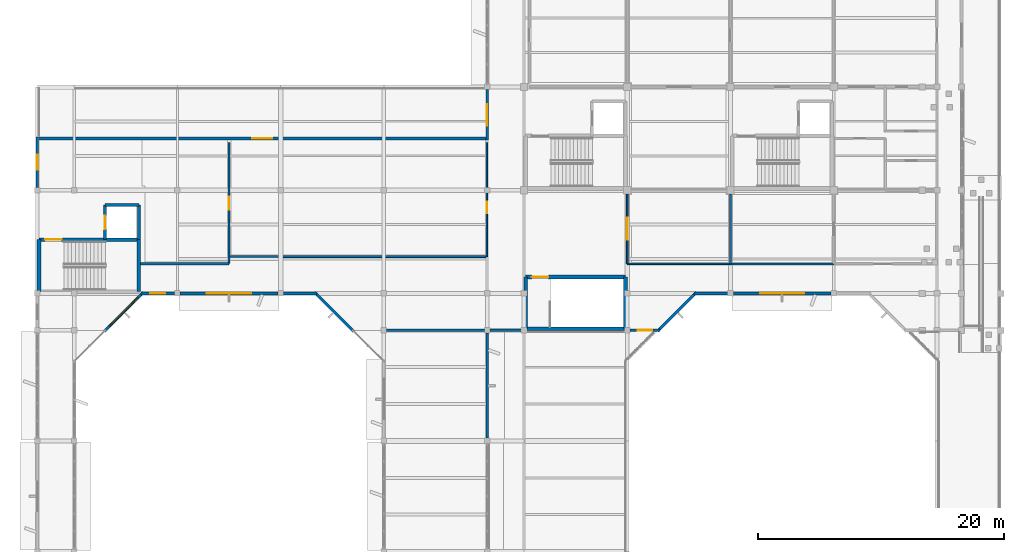
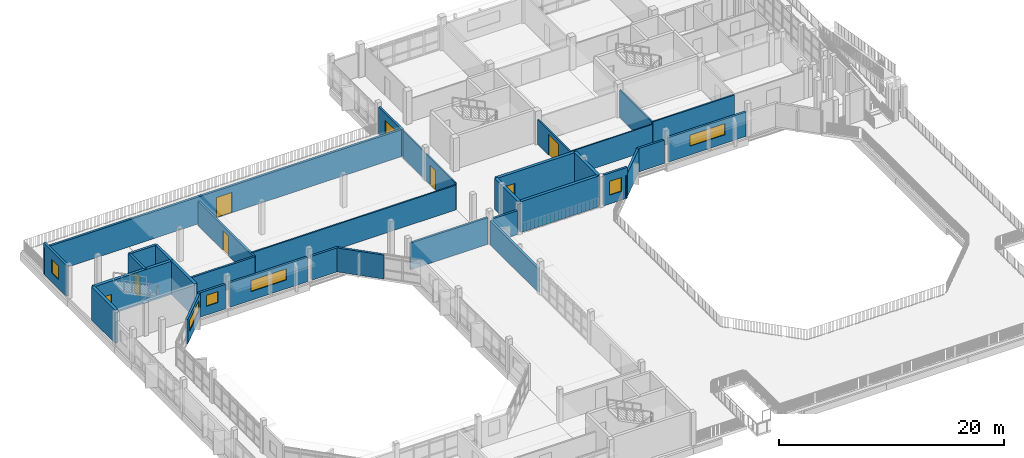
# One storey, part 22 of 42: 33 walls, 8 doors, 6 windows, 14 openings.
"""IFC4 building model written with IfcOpenShell, lengths in metres."""

from ifc_helpers import new_model, si_unit, direction, frame, frame_2d, origin, place, context, subcontext, project, spatial, rectangle, extrude, material, layer, layer_set, type_object, element, fill, save


model = new_model("IFC4")

# Units and contexts
model_context = context("Model", 3, precision=1e-05, world=origin(), true_north=direction((0.0, 1.0)))
body_context = subcontext(model_context, "Body", "Model", "MODEL_VIEW")
ifc_project = project(units=[si_unit("LENGTHUNIT", "METRE"), si_unit("AREAUNIT", "SQUARE_METRE"), si_unit("VOLUMEUNIT", "CUBIC_METRE"), si_unit("PLANEANGLEUNIT", "RADIAN"), si_unit("MASSUNIT", "GRAM", prefix="KILO")], contexts=[model_context])

# Site, building, storey
site_placement = place(None, origin())
site = spatial("IfcSite", under=ifc_project, at=site_placement, CompositionType="ELEMENT")
building_placement = place(site_placement, origin())
building = spatial("IfcBuilding", under=site, at=building_placement, Name="Vanh Quang Courtyard School", CompositionType="ELEMENT")
storey_placement = place(building_placement, frame((0.0, 0.0, 15.0)))
storey = spatial("IfcBuildingStorey", under=building, at=storey_placement, Name="L04", CompositionType="ELEMENT", Elevation=15.0)

# Wall, opening, door
ifc_material_1 = material(Name="Concrete C30/37", Category="concrete")
ifc_layer_1 = layer(ifc_material_1, 0.199951171875)
ifc_layer_set_1 = layer_set([ifc_layer_1], Name="Concrete C30/37")
wall_type_1 = type_object("IfcWallType", Name="W-COMP-200", PredefinedType="PARTITIONING", material=ifc_layer_set_1)
wall_1_placement = place(storey_placement, frame((53.39990234375, 83.679931640625, 0.0), z_axis=(0.0, 0.0, 1.0), x_axis=(0.0, -1.0, 0.0)))
wall_1 = element("IfcWall", 1, at=wall_1_placement, inside=storey, type_object=wall_type_1, Name="Wall W-COMP1 (L04)", PredefinedType="PARTITIONING", context=body_context, shape_type="SweptSolid", body=[
    extrude(rectangle(XDim=9.85986328125, YDim=0.199951171875, at=frame_2d((4.929931640625, 0.0))), origin(), (0.0, 0.0, 1.0), 2.6298828125),
])
opening_1_placement = place(wall_1_placement, frame((4.405029296875, 0.0, 0.0)))
opening_1 = element("IfcOpeningElement", 2, at=opening_1_placement, cuts=wall_1, Name="Opening L04-D163", PredefinedType="OPENING", context=body_context, shape_type="SweptSolid", body=[
    extrude(rectangle(XDim=1.050048828125, YDim=2.14990234375, at=frame_2d((0.52490234375, 1.074951171875))), frame((0.0, 0.10986328125, 0.0), z_axis=(0.0, -1.0, 0.0), x_axis=(1.0, 0.0, 0.0)), (0.0, 0.0, 1.0), 0.219970703125),
])
ifc_material_2 = material(Name="Painted galvanised steel fire door", Category="steel")
door_type_1 = type_object("IfcDoorType", Name="IDR-FD-1050x2150", OperationType="NOTDEFINED", PredefinedType="DOOR", material=ifc_material_2)
door_1_placement = place(opening_1_placement, origin())
door_1 = element("IfcDoor", 3, at=door_1_placement, inside=storey, type_object=door_type_1, Name="Door L04-D163 (L04)", OperationType="SINGLE_SWING_RIGHT", OverallHeight=2.14990234375, OverallWidth=1.050048828125, PredefinedType="DOOR", context=body_context, shape_type="SweptSolid", body=[
    extrude(rectangle(XDim=1.050048828125, YDim=2.14990234375, at=frame_2d((0.52490234375, 1.074951171875))), frame((0.0, 0.02490234375, 0.0), z_axis=(0.0, -1.0, 0.0), x_axis=(1.0, 0.0, 0.0)), (0.0, 0.0, 1.0), 0.050048828125),
])
fill(opening_1, door_1)

# Walls
wall_2_placement = place(storey_placement, frame((53.39990234375, 73.820068359375, 0.0), z_axis=(0.0, 0.0, 1.0), x_axis=(-1.0, 0.0, 0.0)))
element("IfcWall", 4, at=wall_2_placement, inside=storey, type_object=wall_type_1, Name="Wall W-COMP1 (L04)", PredefinedType="PARTITIONING", context=body_context, shape_type="SweptSolid", body=[
    extrude(rectangle(XDim=7.199951171875, YDim=0.199951171875, at=frame_2d((3.60009765625, 0.0))), origin(), (0.0, 0.0, 1.0), 2.6298828125),
])
wall_3_placement = place(storey_placement, frame((66.222900390625, 68.39990234375, 0.0), z_axis=(0.0, 0.0, 1.0), x_axis=(1.0, 0.0, 0.0)))
element("IfcWall", 5, at=wall_3_placement, inside=storey, type_object=wall_type_1, Name="Wall W-COMP1 (L04)", PredefinedType="PARTITIONING", context=body_context, shape_type="SweptSolid", body=[
    extrude(rectangle(XDim=7.947998046875, YDim=0.199951171875, at=frame_2d((3.97412109375, 0.0))), origin(), (0.0, 0.0, 1.0), 2.889892578125),
])
ifc_material_3 = material(Name="Concrete C35/45", Category="concrete")
ifc_layer_2 = layer(ifc_material_3, 0.300048828125)
ifc_layer_set_2 = layer_set([ifc_layer_2], Name="Concrete C35/45")
wall_type_2 = type_object("IfcWallType", Name="W-CORE-300", PredefinedType="SHEAR", material=ifc_layer_set_2)
wall_4_placement = place(storey_placement, frame((46.06005859375, 71.5400390625, 0.0), z_axis=(0.0, 0.0, 1.0), x_axis=(0.0, 1.0, 0.0)))
element("IfcWall", 6, at=wall_4_placement, inside=storey, type_object=wall_type_2, Name="Wall W-CORE1 (L04)", PredefinedType="SHEAR", context=body_context, shape_type="SweptSolid", body=[
    extrude(rectangle(XDim=4.239990234375, YDim=0.300048828125, at=frame_2d((2.1201171875, 0.0))), origin(), (0.0, 0.0, 1.0), 3.60009765625),
])

# Wall, opening, door
wall_5_placement = place(storey_placement, frame((46.06005859375, 75.780029296875, 0.0), z_axis=(0.0, 0.0, 1.0), x_axis=(-1.0, 0.0, 0.0)))
wall_5 = element("IfcWall", 7, at=wall_5_placement, inside=storey, type_object=wall_type_2, Name="Wall W-CORE1 (L04)", PredefinedType="SHEAR", context=body_context, shape_type="SweptSolid", body=[
    extrude(rectangle(XDim=8.1201171875, YDim=0.300048828125, at=frame_2d((4.06005859375, 0.0))), origin(), (0.0, 0.0, 1.0), 3.60009765625),
])
opening_2_placement = place(wall_5_placement, frame((6.27001953125, 0.0, 0.0)))
opening_2 = element("IfcOpeningElement", 8, at=opening_2_placement, cuts=wall_5, Name="Opening L04-DS3", PredefinedType="OPENING", context=body_context, shape_type="SweptSolid", body=[
    extrude(rectangle(XDim=1.35009765625, YDim=2.14990234375, at=frame_2d((0.675048828125, 1.074951171875))), frame((0.0, 0.16015625, 0.0), z_axis=(0.0, -1.0, 0.0), x_axis=(1.0, 0.0, 0.0)), (0.0, 0.0, 1.0), 0.320068359375),
])
door_type_2 = type_object("IfcDoorType", Name="IDR-ST-1350x2150", OperationType="NOTDEFINED", PredefinedType="DOOR", material=ifc_material_2)
door_2_placement = place(opening_2_placement, frame((1.35009765625, 0.0, 0.0), z_axis=(0.0, 0.0, 1.0), x_axis=(-1.0, 0.0, 0.0)))
door_2 = element("IfcDoor", 9, at=door_2_placement, inside=storey, type_object=door_type_2, Name="Door L04-DS3 (L04)", OperationType="SINGLE_SWING_RIGHT", OverallHeight=2.14990234375, OverallWidth=1.35009765625, PredefinedType="DOOR", context=body_context, shape_type="SweptSolid", body=[
    extrude(rectangle(XDim=1.35009765625, YDim=2.14990234375, at=frame_2d((0.675048828125, 1.074951171875))), frame((0.0, 0.02490234375, 0.0), z_axis=(0.0, -1.0, 0.0), x_axis=(1.0, 0.0, 0.0)), (0.0, 0.0, 1.0), 0.050048828125),
])
fill(opening_2, door_2)

# Walls
wall_6_placement = place(storey_placement, frame((37.93994140625, 75.780029296875, 0.0), z_axis=(0.0, 0.0, 1.0), x_axis=(0.0, -1.0, 0.0)))
element("IfcWall", 10, at=wall_6_placement, inside=storey, type_object=wall_type_2, Name="Wall W-CORE1 (L04)", PredefinedType="SHEAR", context=body_context, shape_type="SweptSolid", body=[
    extrude(rectangle(XDim=4.239990234375, YDim=0.300048828125, at=frame_2d((2.1201171875, 0.0))), origin(), (0.0, 0.0, 1.0), 3.60009765625),
])
wall_7_placement = place(storey_placement, frame((77.5400390625, 68.5400390625, 0.0), z_axis=(0.0, 0.0, 1.0), x_axis=(1.0, 0.0, 0.0)))
element("IfcWall", 11, at=wall_7_placement, inside=storey, type_object=wall_type_2, Name="Wall W-CORE1 (L04)", PredefinedType="SHEAR", context=body_context, shape_type="SweptSolid", body=[
    extrude(rectangle(XDim=8.119873046875, YDim=0.300048828125, at=frame_2d((4.06005859375, 0.0))), origin(), (0.0, 0.0, 1.0), 3.35009765625),
])
wall_8_placement = place(storey_placement, frame((85.659912109375, 68.5400390625, 0.0), z_axis=(0.0, 0.0, 1.0), x_axis=(0.0, 1.0, 0.0)))
element("IfcWall", 12, at=wall_8_placement, inside=storey, type_object=wall_type_2, Name="Wall W-CORE1 (L04)", PredefinedType="SHEAR", context=body_context, shape_type="SweptSolid", body=[
    extrude(rectangle(XDim=4.199951171875, YDim=0.300048828125, at=frame_2d((2.10009765625, 0.0))), origin(), (0.0, 0.0, 1.0), 3.35009765625),
])

# Wall, opening, door
wall_9_placement = place(storey_placement, frame((85.659912109375, 72.739990234375, 0.0), z_axis=(0.0, 0.0, 1.0), x_axis=(-1.0, 0.0, 0.0)))
wall_9 = element("IfcWall", 13, at=wall_9_placement, inside=storey, type_object=wall_type_2, Name="Wall W-CORE1 (L04)", PredefinedType="SHEAR", context=body_context, shape_type="SweptSolid", body=[
    extrude(rectangle(XDim=8.119873046875, YDim=0.300048828125, at=frame_2d((4.06005859375, 0.0))), origin(), (0.0, 0.0, 1.0), 3.35009765625),
])
opening_3_placement = place(wall_9_placement, frame((6.27001953125, 0.0, 0.0)))
opening_3 = element("IfcOpeningElement", 14, at=opening_3_placement, cuts=wall_9, Name="Opening L04-DS5", PredefinedType="OPENING", context=body_context, shape_type="SweptSolid", body=[
    extrude(rectangle(XDim=1.35009765625, YDim=2.14990234375, at=frame_2d((0.675048828125, 1.074951171875))), frame((0.0, 0.16015625, 0.0), z_axis=(0.0, -1.0, 0.0), x_axis=(1.0, 0.0, 0.0)), (0.0, 0.0, 1.0), 0.320068359375),
])
door_3_placement = place(opening_3_placement, frame((1.35009765625, 0.0, 0.0), z_axis=(0.0, 0.0, 1.0), x_axis=(-1.0, 0.0, 0.0)))
door_3 = element("IfcDoor", 15, at=door_3_placement, inside=storey, type_object=door_type_2, Name="Door L04-DS5 (L04)", OperationType="SINGLE_SWING_RIGHT", OverallHeight=2.14990234375, OverallWidth=1.35009765625, PredefinedType="DOOR", context=body_context, shape_type="SweptSolid", body=[
    extrude(rectangle(XDim=1.35009765625, YDim=2.14990234375, at=frame_2d((0.675048828125, 1.074951171875))), frame((0.0, 0.02490234375, 0.0), z_axis=(0.0, -1.0, 0.0), x_axis=(1.0, 0.0, 0.0)), (0.0, 0.0, 1.0), 0.050048828125),
])
fill(opening_3, door_3)

# Wall
wall_10_placement = place(storey_placement, frame((77.5400390625, 72.739990234375, 0.0), z_axis=(0.0, 0.0, 1.0), x_axis=(0.0, -1.0, 0.0)))
element("IfcWall", 16, at=wall_10_placement, inside=storey, type_object=wall_type_2, Name="Wall W-CORE1 (L04)", PredefinedType="SHEAR", context=body_context, shape_type="SweptSolid", body=[
    extrude(rectangle(XDim=4.199951171875, YDim=0.300048828125, at=frame_2d((2.10009765625, 0.0))), origin(), (0.0, 0.0, 1.0), 3.35009765625),
])

# Wall, opening, window
ifc_layer_3 = layer(ifc_material_1, 0.219970703125)
ifc_layer_set_3 = layer_set([ifc_layer_3], Name="Concrete C30/37")
wall_type_3 = type_object("IfcWallType", Name="W-EXT-220", PredefinedType="SOLIDWALL", material=ifc_layer_set_3)
wall_11_placement = place(storey_placement, frame((37.800048828125, 80.02294921875, 0.0), z_axis=(0.0, 0.0, 1.0), x_axis=(0.0, 1.0, 0.0)))
wall_11 = element("IfcWall", 17, at=wall_11_placement, inside=storey, type_object=wall_type_3, Name="Wall WE-04 (L04)", PredefinedType="SOLIDWALL", context=body_context, shape_type="SweptSolid", body=[
    extrude(rectangle(XDim=4.09716796875, YDim=0.219970703125, at=frame_2d((2.048583984375, 0.0))), origin(), (0.0, 0.0, 1.0), 3.35009765625),
])
opening_4_placement = place(wall_11_placement, frame((1.448486328125, 0.0, 0.949951171875)))
opening_4 = element("IfcOpeningElement", 18, at=opening_4_placement, cuts=wall_11, Name="Opening WN-10", PredefinedType="OPENING", context=body_context, shape_type="SweptSolid", body=[
    extrude(rectangle(XDim=1.199951171875, YDim=1.5, at=frame_2d((0.60009765625, 0.75))), frame((0.0, 0.1201171875, 0.0), z_axis=(0.0, -1.0, 0.0), x_axis=(1.0, 0.0, 0.0)), (0.0, 0.0, 1.0), 0.239990234375),
])
ifc_material_4 = material(Name="Anodised aluminium and low-E double glazing", Category="aluminium")
window_type_1 = type_object("IfcWindowType", Name="WIN-TYP-10", PartitioningType="SINGLE_PANEL", PredefinedType="WINDOW", material=ifc_material_4)
window_1_placement = place(opening_4_placement, origin())
window_1 = element("IfcWindow", 19, at=window_1_placement, inside=storey, type_object=window_type_1, Name="Window WN-10 (L04)", OverallHeight=1.5, OverallWidth=1.199951171875, PartitioningType="SINGLE_PANEL", PredefinedType="WINDOW", context=body_context, shape_type="SweptSolid", body=[
    extrude(rectangle(XDim=1.199951171875, YDim=1.5, at=frame_2d((0.60009765625, 0.75))), frame((0.0, 0.030029296875, 0.0), z_axis=(0.0, -1.0, 0.0), x_axis=(1.0, 0.0, 0.0)), (0.0, 0.0, 1.0), 0.06005859375),
])
fill(opening_4, window_1)

# Wall, opening, door
wall_12_placement = place(storey_placement, frame((37.679931640625, 84.0, 0.0), z_axis=(0.0, 0.0, 1.0), x_axis=(1.0, 0.0, 0.0)))
wall_12 = element("IfcWall", 20, at=wall_12_placement, inside=storey, type_object=wall_type_3, Name="Wall WE-04 (L04)", PredefinedType="SOLIDWALL", context=body_context, shape_type="SweptSolid", body=[
    extrude(rectangle(XDim=36.840087890625, YDim=0.219970703125, at=frame_2d((18.419921875, 0.0))), origin(), (0.0, 0.0, 1.0), 2.919921875),
])
opening_5_placement = place(wall_12_placement, frame((17.6201171875, 0.0, 0.0)))
opening_5 = element("IfcOpeningElement", 21, at=opening_5_placement, cuts=wall_12, Name="Opening L04-PD055", PredefinedType="OPENING", context=body_context, shape_type="SweptSolid", body=[
    extrude(rectangle(XDim=1.60009765625, YDim=2.199951171875, at=frame_2d((0.800048828125, 1.10009765625))), frame((0.0, 0.1201171875, 0.0), z_axis=(0.0, -1.0, 0.0), x_axis=(1.0, 0.0, 0.0)), (0.0, 0.0, 1.0), 0.239990234375),
])
ifc_material_5 = material(Name="Thermally broken aluminium and laminated safety glass", Category="aluminium")
door_type_3 = type_object("IfcDoorType", Name="EDR-TYP-06", OperationType="NOTDEFINED", PredefinedType="DOOR", material=ifc_material_5)
door_4_placement = place(opening_5_placement, origin())
door_4 = element("IfcDoor", 22, at=door_4_placement, inside=storey, type_object=door_type_3, Name="Door L04-PD055 (L04)", OperationType="SINGLE_SWING_RIGHT", OverallHeight=2.199951171875, OverallWidth=1.60009765625, PredefinedType="DOOR", context=body_context, shape_type="SweptSolid", body=[
    extrude(rectangle(XDim=1.60009765625, YDim=2.199951171875, at=frame_2d((0.800048828125, 1.10009765625))), frame((0.0, 0.02490234375, 0.0), z_axis=(0.0, -1.0, 0.0), x_axis=(1.0, 0.0, 0.0)), (0.0, 0.0, 1.0), 0.050048828125),
])
fill(opening_5, door_4)

wall_13_placement = place(storey_placement, frame((74.39990234375, 83.8798828125, 0.0), z_axis=(0.0, 0.0, 1.0), x_axis=(0.0, 1.0, 0.0)))
wall_13 = element("IfcWall", 23, at=wall_13_placement, inside=storey, type_object=wall_type_3, Name="Wall WE-04 (L04)", PredefinedType="SOLIDWALL", context=body_context, shape_type="SweptSolid", body=[
    extrude(rectangle(XDim=4.09716796875, YDim=0.219970703125, at=frame_2d((2.048583984375, 0.0))), origin(), (0.0, 0.0, 1.0), 2.919921875),
])
opening_6_placement = place(wall_13_placement, frame((1.173583984375, 0.0, 0.0)))
opening_6 = element("IfcOpeningElement", 24, at=opening_6_placement, cuts=wall_13, Name="Opening L04-PD056", PredefinedType="OPENING", context=body_context, shape_type="SweptSolid", body=[
    extrude(rectangle(XDim=1.75, YDim=2.199951171875, at=frame_2d((0.875, 1.10009765625))), frame((0.0, 0.1201171875, 0.0), z_axis=(0.0, -1.0, 0.0), x_axis=(1.0, 0.0, 0.0)), (0.0, 0.0, 1.0), 0.239990234375),
])
door_type_4 = type_object("IfcDoorType", Name="EDR-TYP-07", OperationType="NOTDEFINED", PredefinedType="DOOR", material=ifc_material_5)
door_5_placement = place(opening_6_placement, origin())
door_5 = element("IfcDoor", 25, at=door_5_placement, inside=storey, type_object=door_type_4, Name="Door L04-PD056 (L04)", OperationType="SINGLE_SWING_LEFT", OverallHeight=2.199951171875, OverallWidth=1.75, PredefinedType="DOOR", context=body_context, shape_type="SweptSolid", body=[
    extrude(rectangle(XDim=1.75, YDim=2.199951171875, at=frame_2d((0.875, 1.10009765625))), frame((0.0, 0.02490234375, 0.0), z_axis=(0.0, -1.0, 0.0), x_axis=(1.0, 0.0, 0.0)), (0.0, 0.0, 1.0), 0.050048828125),
])
fill(opening_6, door_5)

# Wall, opening, window
wall_14_placement = place(storey_placement, frame((102.376953125, 71.39990234375, 0.0), z_axis=(0.0, 0.0, 1.0), x_axis=(-1.0, 0.0, 0.0)))
wall_14 = element("IfcWall", 26, at=wall_14_placement, inside=storey, type_object=wall_type_3, Name="Wall WE-04 (L04)", PredefinedType="SOLIDWALL", context=body_context, shape_type="SweptSolid", body=[
    extrude(rectangle(XDim=7.953857421875, YDim=0.219970703125, at=frame_2d((3.97705078125, 0.0))), origin(), (0.0, 0.0, 1.0), 2.64990234375),
])
opening_7_placement = place(wall_14_placement, frame((2.177001953125, 0.0, 0.949951171875)))
opening_7 = element("IfcOpeningElement", 27, at=opening_7_placement, cuts=wall_14, Name="Opening WN-09", PredefinedType="OPENING", context=body_context, shape_type="SweptSolid", body=[
    extrude(rectangle(XDim=3.60009765625, YDim=1.199951171875, at=frame_2d((1.800048828125, 0.60009765625))), frame((0.0, 0.1201171875, 0.0), z_axis=(0.0, -1.0, 0.0), x_axis=(1.0, 0.0, 0.0)), (0.0, 0.0, 1.0), 0.239990234375),
])
window_type_2 = type_object("IfcWindowType", Name="WIN-TYP-09", PartitioningType="SINGLE_PANEL", PredefinedType="WINDOW", material=ifc_material_4)
window_2_placement = place(opening_7_placement, origin())
window_2 = element("IfcWindow", 28, at=window_2_placement, inside=storey, type_object=window_type_2, Name="Window WN-09 (L04)", OverallHeight=1.199951171875, OverallWidth=3.60009765625, PartitioningType="SINGLE_PANEL", PredefinedType="WINDOW", context=body_context, shape_type="SweptSolid", body=[
    extrude(rectangle(XDim=3.60009765625, YDim=1.199951171875, at=frame_2d((1.800048828125, 0.60009765625))), frame((0.0, 0.030029296875, 0.0), z_axis=(0.0, -1.0, 0.0), x_axis=(1.0, 0.0, 0.0)), (0.0, 0.0, 1.0), 0.06005859375),
])
fill(opening_7, window_2)

# Walls
wall_15_placement = place(storey_placement, frame((93.97705078125, 71.39990234375, 0.0), z_axis=(0.0, 0.0, 1.0), x_axis=(-1.0, 0.0, 0.0)))
element("IfcWall", 29, at=wall_15_placement, inside=storey, type_object=wall_type_3, Name="Wall WE-04 (L04)", PredefinedType="SOLIDWALL", context=body_context, shape_type="SweptSolid", body=[
    extrude(rectangle(XDim=2.7529296875, YDim=0.219970703125, at=frame_2d((1.37646484375, 0.0))), origin(), (0.0, 0.0, 1.0), 2.530029296875),
])
wall_16_placement = place(storey_placement, frame((91.428955078125, 71.48486328125, 0.0), z_axis=(0.0, 0.0, 1.0), x_axis=(-0.707134011639, -0.707079549685, 0.0)))
element("IfcWall", 30, at=wall_16_placement, inside=storey, type_object=wall_type_3, Name="Wall WE-04 (L04)", PredefinedType="SOLIDWALL", context=body_context, shape_type="SweptSolid", body=[
    extrude(rectangle(XDim=4.482666015625, YDim=0.219970703125, at=frame_2d((2.2412109375, 0.0))), origin(), (0.0, 0.0, 1.0), 2.530029296875),
])

# Wall, opening, window
wall_17_placement = place(storey_placement, frame((88.464111328125, 68.39990234375, 0.0), z_axis=(0.0, 0.0, 1.0), x_axis=(-1.0, 0.0, 0.0)))
wall_17 = element("IfcWall", 31, at=wall_17_placement, inside=storey, type_object=wall_type_3, Name="Wall WE-04 (L04)", PredefinedType="SOLIDWALL", context=body_context, shape_type="SweptSolid", body=[
    extrude(rectangle(XDim=2.441162109375, YDim=0.219970703125, at=frame_2d((1.220703125, 0.0))), origin(), (0.0, 0.0, 1.0), 3.35009765625),
])
opening_8_placement = place(wall_17_placement, frame((0.62060546875, 0.0, 0.949951171875)))
opening_8 = element("IfcOpeningElement", 32, at=opening_8_placement, cuts=wall_17, Name="Opening WN-10", PredefinedType="OPENING", context=body_context, shape_type="SweptSolid", body=[
    extrude(rectangle(XDim=1.199951171875, YDim=1.5, at=frame_2d((0.60009765625, 0.75))), frame((0.0, 0.1201171875, 0.0), z_axis=(0.0, -1.0, 0.0), x_axis=(1.0, 0.0, 0.0)), (0.0, 0.0, 1.0), 0.239990234375),
])
window_3_placement = place(opening_8_placement, origin())
window_3 = element("IfcWindow", 33, at=window_3_placement, inside=storey, type_object=window_type_1, Name="Window WN-10 (L04)", OverallHeight=1.5, OverallWidth=1.199951171875, PartitioningType="SINGLE_PANEL", PredefinedType="WINDOW", context=body_context, shape_type="SweptSolid", body=[
    extrude(rectangle(XDim=1.199951171875, YDim=1.5, at=frame_2d((0.60009765625, 0.75))), frame((0.0, 0.030029296875, 0.0), z_axis=(0.0, -1.0, 0.0), x_axis=(1.0, 0.0, 0.0)), (0.0, 0.0, 1.0), 0.06005859375),
])
fill(opening_8, window_3)

# Walls
wall_18_placement = place(storey_placement, frame((77.177001953125, 68.39990234375, 0.0), z_axis=(0.0, 0.0, 1.0), x_axis=(-1.0, 0.0, 0.0)))
element("IfcWall", 34, at=wall_18_placement, inside=storey, type_object=wall_type_3, Name="Wall WE-04 (L04)", PredefinedType="SOLIDWALL", context=body_context, shape_type="SweptSolid", body=[
    extrude(rectangle(XDim=2.553955078125, YDim=0.219970703125, at=frame_2d((1.27685546875, 0.0))), origin(), (0.0, 0.0, 1.0), 2.580078125),
])
wall_19_placement = place(storey_placement, frame((74.39990234375, 68.177001953125, 0.0), z_axis=(0.0, 0.0, 1.0), x_axis=(0.0, -1.0, 0.0)))
element("IfcWall", 35, at=wall_19_placement, inside=storey, type_object=wall_type_3, Name="Wall WE-04 (L04)", PredefinedType="SOLIDWALL", context=body_context, shape_type="SweptSolid", body=[
    extrude(rectangle(XDim=8.553955078125, YDim=0.219970703125, at=frame_2d((4.27685546875, 0.0))), origin(), (0.0, 0.0, 1.0), 2.580078125),
])
wall_20_placement = place(storey_placement, frame((63.541015625, 68.315185546875, 0.0), z_axis=(0.0, 0.0, 1.0), x_axis=(-0.707134011639, 0.707079549685, 0.0)))
element("IfcWall", 36, at=wall_20_placement, inside=storey, type_object=wall_type_3, Name="Wall WE-04 (L04)", PredefinedType="SOLIDWALL", context=body_context, shape_type="SweptSolid", body=[
    extrude(rectangle(XDim=4.482666015625, YDim=0.219970703125, at=frame_2d((2.2412109375, 0.0))), origin(), (0.0, 0.0, 1.0), 2.60009765625),
])
wall_21_placement = place(storey_placement, frame((60.575927734375, 71.39990234375, 0.0), z_axis=(0.0, 0.0, 1.0), x_axis=(-1.0, 0.0, 0.0)))
element("IfcWall", 37, at=wall_21_placement, inside=storey, type_object=wall_type_3, Name="Wall WE-04 (L04)", PredefinedType="SOLIDWALL", context=body_context, shape_type="SweptSolid", body=[
    extrude(rectangle(XDim=2.7529296875, YDim=0.219970703125, at=frame_2d((1.37646484375, 0.0))), origin(), (0.0, 0.0, 1.0), 2.60009765625),
])

# Wall, opening, window
wall_22_placement = place(storey_placement, frame((57.376953125, 71.39990234375, 0.0), z_axis=(0.0, 0.0, 1.0), x_axis=(-1.0, 0.0, 0.0)))
wall_22 = element("IfcWall", 38, at=wall_22_placement, inside=storey, type_object=wall_type_3, Name="Wall WE-04 (L04)", PredefinedType="SOLIDWALL", context=body_context, shape_type="SweptSolid", body=[
    extrude(rectangle(XDim=7.953857421875, YDim=0.219970703125, at=frame_2d((3.97705078125, 0.0))), origin(), (0.0, 0.0, 1.0), 2.64990234375),
])
opening_9_placement = place(wall_22_placement, frame((2.177001953125, 0.0, 0.949951171875)))
opening_9 = element("IfcOpeningElement", 39, at=opening_9_placement, cuts=wall_22, Name="Opening WN-09", PredefinedType="OPENING", context=body_context, shape_type="SweptSolid", body=[
    extrude(rectangle(XDim=3.60009765625, YDim=1.199951171875, at=frame_2d((1.800048828125, 0.60009765625))), frame((0.0, 0.1201171875, 0.0), z_axis=(0.0, -1.0, 0.0), x_axis=(1.0, 0.0, 0.0)), (0.0, 0.0, 1.0), 0.239990234375),
])
window_4_placement = place(opening_9_placement, origin())
window_4 = element("IfcWindow", 40, at=window_4_placement, inside=storey, type_object=window_type_2, Name="Window WN-09 (L04)", OverallHeight=1.199951171875, OverallWidth=3.60009765625, PartitioningType="SINGLE_PANEL", PredefinedType="WINDOW", context=body_context, shape_type="SweptSolid", body=[
    extrude(rectangle(XDim=3.60009765625, YDim=1.199951171875, at=frame_2d((1.800048828125, 0.60009765625))), frame((0.0, 0.030029296875, 0.0), z_axis=(0.0, -1.0, 0.0), x_axis=(1.0, 0.0, 0.0)), (0.0, 0.0, 1.0), 0.06005859375),
])
fill(opening_9, window_4)

wall_23_placement = place(storey_placement, frame((48.97705078125, 71.39990234375, 0.0), z_axis=(0.0, 0.0, 1.0), x_axis=(-1.0, 0.0, 0.0)))
wall_23 = element("IfcWall", 41, at=wall_23_placement, inside=storey, type_object=wall_type_3, Name="Wall WE-04 (L04)", PredefinedType="SOLIDWALL", context=body_context, shape_type="SweptSolid", body=[
    extrude(rectangle(XDim=2.7529296875, YDim=0.219970703125, at=frame_2d((1.37646484375, 0.0))), origin(), (0.0, 0.0, 1.0), 2.64990234375),
])
opening_10_placement = place(wall_23_placement, frame((0.776611328125, 0.0, 0.949951171875)))
opening_10 = element("IfcOpeningElement", 42, at=opening_10_placement, cuts=wall_23, Name="Opening WN-01", PredefinedType="OPENING", context=body_context, shape_type="SweptSolid", body=[
    extrude(rectangle(XDim=1.199951171875, YDim=1.199951171875, at=frame_2d((0.60009765625, 0.60009765625))), frame((0.0, 0.1201171875, 0.0), z_axis=(0.0, -1.0, 0.0), x_axis=(1.0, 0.0, 0.0)), (0.0, 0.0, 1.0), 0.239990234375),
])
window_type_3 = type_object("IfcWindowType", Name="WIN-TYP-01", PartitioningType="SINGLE_PANEL", PredefinedType="WINDOW", material=ifc_material_4)
window_5_placement = place(opening_10_placement, origin())
window_5 = element("IfcWindow", 43, at=window_5_placement, inside=storey, type_object=window_type_3, Name="Window WN-01 (L04)", OverallHeight=1.199951171875, OverallWidth=1.199951171875, PartitioningType="SINGLE_PANEL", PredefinedType="WINDOW", context=body_context, shape_type="SweptSolid", body=[
    extrude(rectangle(XDim=1.199951171875, YDim=1.199951171875, at=frame_2d((0.60009765625, 0.60009765625))), frame((0.0, 0.030029296875, 0.0), z_axis=(0.0, -1.0, 0.0), x_axis=(1.0, 0.0, 0.0)), (0.0, 0.0, 1.0), 0.06005859375),
])
fill(opening_10, window_5)

wall_24_placement = place(storey_placement, frame((46.428955078125, 71.48486328125, 0.0), z_axis=(0.0, 0.0, 1.0), x_axis=(-0.707134011639, -0.707079549685, 0.0)))
wall_24 = element("IfcWall", 44, at=wall_24_placement, inside=storey, type_object=wall_type_3, Name="Wall WE-04 (L04)", PredefinedType="SOLIDWALL", context=body_context, shape_type="SweptSolid", body=[
    extrude(rectangle(XDim=4.482666015625, YDim=0.219970703125, at=frame_2d((2.2412109375, 0.0))), origin(), (0.0, 0.0, 1.0), 2.64990234375),
])
opening_11_placement = place(wall_24_placement, frame((0.59130859375, 0.0, 0.949951171875)))
opening_11 = element("IfcOpeningElement", 45, at=opening_11_placement, cuts=wall_24, Name="Opening WN-08", PredefinedType="OPENING", context=body_context, shape_type="SweptSolid", body=[
    extrude(rectangle(XDim=3.300048828125, YDim=1.199951171875, at=frame_2d((1.64990234375, 0.60009765625))), frame((0.0, 0.1201171875, 0.0), z_axis=(0.0, -1.0, 0.0), x_axis=(1.0, 0.0, 0.0)), (0.0, 0.0, 1.0), 0.239990234375),
])
window_type_4 = type_object("IfcWindowType", Name="WIN-TYP-08", PartitioningType="SINGLE_PANEL", PredefinedType="WINDOW", material=ifc_material_4)
window_6_placement = place(opening_11_placement, origin())
window_6 = element("IfcWindow", 46, at=window_6_placement, inside=storey, type_object=window_type_4, Name="Window WN-08 (L04)", OverallHeight=1.199951171875, OverallWidth=3.300048828125, PartitioningType="SINGLE_PANEL", PredefinedType="WINDOW", context=body_context, shape_type="SweptSolid", body=[
    extrude(rectangle(XDim=3.300048828125, YDim=1.199951171875, at=frame_2d((1.64990234375, 0.60009765625))), frame((0.0, 0.030029296875, 0.0), z_axis=(0.0, -1.0, 0.0), x_axis=(1.0, 0.0, 0.0)), (0.0, 0.0, 1.0), 0.06005859375),
])
fill(opening_11, window_6)

# Wall, opening, door
ifc_material_6 = material(Name="Acoustic gypsum stud partition", Category="gypsum")
ifc_layer_4 = layer(ifc_material_6, 0.1201171875)
ifc_layer_set_4 = layer_set([ifc_layer_4], Name="Acoustic gypsum stud partition")
wall_type_4 = type_object("IfcWallType", Name="W-PART-120", PredefinedType="PARTITIONING", material=ifc_layer_set_4)
wall_25_placement = place(storey_placement, frame((74.3798828125, 83.679931640625, 0.0), z_axis=(0.0, 0.0, 1.0), x_axis=(0.0, -1.0, 0.0)))
wall_25 = element("IfcWall", 47, at=wall_25_placement, inside=storey, type_object=wall_type_4, Name="Wall W-PRT2 (L04)", PredefinedType="PARTITIONING", context=body_context, shape_type="SweptSolid", body=[
    extrude(rectangle(XDim=9.280029296875, YDim=0.1201171875, at=frame_2d((4.64013671875, 0.0))), origin(), (0.0, 0.0, 1.0), 2.919921875),
])
opening_12_placement = place(wall_25_placement, frame((4.830078125, 0.0, 0.0)))
opening_12 = element("IfcOpeningElement", 48, at=opening_12_placement, cuts=wall_25, Name="Opening L04-D165", PredefinedType="OPENING", context=body_context, shape_type="SweptSolid", body=[
    extrude(rectangle(XDim=0.919921875, YDim=2.10009765625, at=frame_2d((0.4599609375, 1.050048828125))), frame((0.0, 0.070068359375, 0.0), z_axis=(0.0, -1.0, 0.0), x_axis=(1.0, 0.0, 0.0)), (0.0, 0.0, 1.0), 0.14013671875),
])
ifc_material_7 = material(Name="Solid-core hardwood acoustic door", Category="wood")
door_type_5 = type_object("IfcDoorType", Name="IDR-STF-0920x2100", OperationType="NOTDEFINED", PredefinedType="DOOR", material=ifc_material_7)
door_6_placement = place(opening_12_placement, origin())
door_6 = element("IfcDoor", 49, at=door_6_placement, inside=storey, type_object=door_type_5, Name="Door L04-D165 (L04)", OperationType="SINGLE_SWING_RIGHT", OverallHeight=2.10009765625, OverallWidth=0.919921875, PredefinedType="DOOR", context=body_context, shape_type="SweptSolid", body=[
    extrude(rectangle(XDim=0.919921875, YDim=2.10009765625, at=frame_2d((0.4599609375, 1.050048828125))), frame((0.0, 0.02490234375, 0.0), z_axis=(0.0, -1.0, 0.0), x_axis=(1.0, 0.0, 0.0)), (0.0, 0.0, 1.0), 0.050048828125),
])
fill(opening_12, door_6)

# Walls
wall_26_placement = place(storey_placement, frame((94.199951171875, 73.800048828125, 0.0), z_axis=(0.0, 0.0, 1.0), x_axis=(-1.0, 0.0, 0.0)))
element("IfcWall", 50, at=wall_26_placement, inside=storey, type_object=wall_type_4, Name="Wall W-PRT2 (L04)", PredefinedType="PARTITIONING", context=body_context, shape_type="SweptSolid", body=[
    extrude(rectangle(XDim=8.39990234375, YDim=0.1201171875, at=frame_2d((4.199951171875, 0.0))), origin(), (0.0, 0.0, 1.0), 2.679931640625),
])
ifc_material_8 = material(Name="Autoclaved aerated masonry blockwork", Category="masonry")
ifc_layer_5 = layer(ifc_material_8, 0.14990234375)
ifc_layer_set_5 = layer_set([ifc_layer_5], Name="Autoclaved aerated masonry blockwork")
wall_type_5 = type_object("IfcWallType", Name="W-PART-150", PredefinedType="PARTITIONING", material=ifc_layer_set_5)
wall_27_placement = place(storey_placement, frame((74.3798828125, 74.39990234375, 0.0), z_axis=(0.0, 0.0, 1.0), x_axis=(-1.0, 0.0, 0.0)))
element("IfcWall", 51, at=wall_27_placement, inside=storey, type_object=wall_type_5, Name="Wall W-PRT1 (L04)", PredefinedType="PARTITIONING", context=body_context, shape_type="SweptSolid", body=[
    extrude(rectangle(XDim=20.9599609375, YDim=0.14990234375, at=frame_2d((10.47998046875, 0.0))), origin(), (0.0, 0.0, 1.0), 2.679931640625),
])

# Wall, opening, door
wall_28_placement = place(storey_placement, frame((85.800048828125, 73.800048828125, 0.0), z_axis=(0.0, 0.0, 1.0), x_axis=(0.0, 1.0, 0.0)))
wall_28 = element("IfcWall", 52, at=wall_28_placement, inside=storey, type_object=wall_type_5, Name="Wall W-PRT1 (L04)", PredefinedType="PARTITIONING", context=body_context, shape_type="SweptSolid", body=[
    extrude(rectangle(XDim=5.701904296875, YDim=0.14990234375, at=frame_2d((2.85107421875, 0.0))), origin(), (0.0, 0.0, 1.0), 2.679931640625),
])
opening_13_placement = place(wall_28_placement, frame((1.950927734375, 0.0, 0.0)))
opening_13 = element("IfcOpeningElement", 53, at=opening_13_placement, cuts=wall_28, Name="Opening L04-D167", PredefinedType="OPENING", context=body_context, shape_type="SweptSolid", body=[
    extrude(rectangle(XDim=1.800048828125, YDim=2.25, at=frame_2d((0.89990234375, 1.125))), frame((0.0, 0.0849609375, 0.0), z_axis=(0.0, -1.0, 0.0), x_axis=(1.0, 0.0, 0.0)), (0.0, 0.0, 1.0), 0.169921875),
])
door_type_6 = type_object("IfcDoorType", Name="IDR-FD-1800x2250", OperationType="NOTDEFINED", PredefinedType="DOOR", material=ifc_material_2)
door_7_placement = place(opening_13_placement, origin())
door_7 = element("IfcDoor", 54, at=door_7_placement, inside=storey, type_object=door_type_6, Name="Door L04-D167 (L04)", OperationType="DOUBLE_DOOR_SINGLE_SWING", OverallHeight=2.25, OverallWidth=1.800048828125, PredefinedType="DOOR", context=body_context, shape_type="SweptSolid", body=[
    extrude(rectangle(XDim=1.800048828125, YDim=2.25, at=frame_2d((0.89990234375, 1.125))), frame((0.0, 0.02490234375, 0.0), z_axis=(0.0, -1.0, 0.0), x_axis=(1.0, 0.0, 0.0)), (0.0, 0.0, 1.0), 0.050048828125),
])
fill(opening_13, door_7)

# Walls
wall_29_placement = place(storey_placement, frame((94.199951171875, 79.501953125, 0.0), z_axis=(0.0, 0.0, 1.0), x_axis=(0.0, -1.0, 0.0)))
element("IfcWall", 55, at=wall_29_placement, inside=storey, type_object=wall_type_5, Name="Wall W-PRT1 (L04)", PredefinedType="PARTITIONING", context=body_context, shape_type="SweptSolid", body=[
    extrude(rectangle(XDim=5.701904296875, YDim=0.14990234375, at=frame_2d((2.85107421875, 0.0))), origin(), (0.0, 0.0, 1.0), 2.949951171875),
])
wall_30_placement = place(storey_placement, frame((102.60009765625, 73.800048828125, 0.0), z_axis=(0.0, 0.0, 1.0), x_axis=(-1.0, 0.0, 0.0)))
element("IfcWall", 56, at=wall_30_placement, inside=storey, type_object=wall_type_5, Name="Wall W-PRT1 (L04)", PredefinedType="PARTITIONING", context=body_context, shape_type="SweptSolid", body=[
    extrude(rectangle(XDim=8.380126953125, YDim=0.14990234375, at=frame_2d((4.18994140625, 0.0))), origin(), (0.0, 0.0, 1.0), 2.949951171875),
])

# Wall, opening, door
ifc_layer_6 = layer(ifc_material_3, 0.25)
ifc_layer_set_6 = layer_set([ifc_layer_6], Name="Concrete C35/45")
wall_type_6 = type_object("IfcWallType", Name="W-SHFT-250", PredefinedType="SHEAR", material=ifc_layer_set_6)
wall_31_placement = place(storey_placement, frame((43.320068359375, 78.580078125, 0.0), z_axis=(0.0, 0.0, 1.0), x_axis=(0.0, -1.0, 0.0)))
wall_31 = element("IfcWall", 57, at=wall_31_placement, inside=storey, type_object=wall_type_6, Name="Wall W-SHFT1 (L04)", PredefinedType="SHEAR", context=body_context, shape_type="SweptSolid", body=[
    extrude(rectangle(XDim=2.800048828125, YDim=0.25, at=frame_2d((1.39990234375, 0.0))), origin(), (0.0, 0.0, 1.0), 3.60009765625),
])
opening_14_placement = place(wall_31_placement, frame((0.85009765625, 0.0, 0.0)))
opening_14 = element("IfcOpeningElement", 58, at=opening_14_placement, cuts=wall_31, Name="Opening LD-03-L04", PredefinedType="OPENING", context=body_context, shape_type="SweptSolid", body=[
    extrude(rectangle(XDim=1.10009765625, YDim=2.14990234375, at=frame_2d((0.550048828125, 1.074951171875))), frame((0.0, 0.135009765625, 0.0), z_axis=(0.0, -1.0, 0.0), x_axis=(1.0, 0.0, 0.0)), (0.0, 0.0, 1.0), 0.27001953125),
])
door_type_7 = type_object("IfcDoorType", Name="IDR-LD-1100x2150", OperationType="NOTDEFINED", PredefinedType="DOOR", material=ifc_material_2)
door_8_placement = place(opening_14_placement, origin())
door_8 = element("IfcDoor", 59, at=door_8_placement, inside=storey, type_object=door_type_7, Name="Door LD-03-L04 (L04)", OperationType="DOUBLE_DOOR_SLIDING", OverallHeight=2.14990234375, OverallWidth=1.10009765625, PredefinedType="DOOR", context=body_context, shape_type="SweptSolid", body=[
    extrude(rectangle(XDim=1.10009765625, YDim=2.14990234375, at=frame_2d((0.550048828125, 1.074951171875))), frame((0.0, 0.02490234375, 0.0), z_axis=(0.0, -1.0, 0.0), x_axis=(1.0, 0.0, 0.0)), (0.0, 0.0, 1.0), 0.050048828125),
])
fill(opening_14, door_8)

# Walls
wall_32_placement = place(storey_placement, frame((46.06005859375, 78.580078125, 0.0), z_axis=(0.0, 0.0, 1.0), x_axis=(-1.0, 0.0, 0.0)))
element("IfcWall", 60, at=wall_32_placement, inside=storey, type_object=wall_type_6, Name="Wall W-SHFT1 (L04)", PredefinedType="SHEAR", context=body_context, shape_type="SweptSolid", body=[
    extrude(rectangle(XDim=2.739990234375, YDim=0.25, at=frame_2d((1.3701171875, 0.0))), origin(), (0.0, 0.0, 1.0), 3.60009765625),
])
wall_33_placement = place(storey_placement, frame((46.06005859375, 75.780029296875, 0.0), z_axis=(0.0, 0.0, 1.0), x_axis=(0.0, 1.0, 0.0)))
element("IfcWall", 61, at=wall_33_placement, inside=storey, type_object=wall_type_6, Name="Wall W-SHFT1 (L04)", PredefinedType="SHEAR", context=body_context, shape_type="SweptSolid", body=[
    extrude(rectangle(XDim=2.800048828125, YDim=0.25, at=frame_2d((1.39990234375, 0.0))), origin(), (0.0, 0.0, 1.0), 3.60009765625),
])

save(model, "model.ifc")
